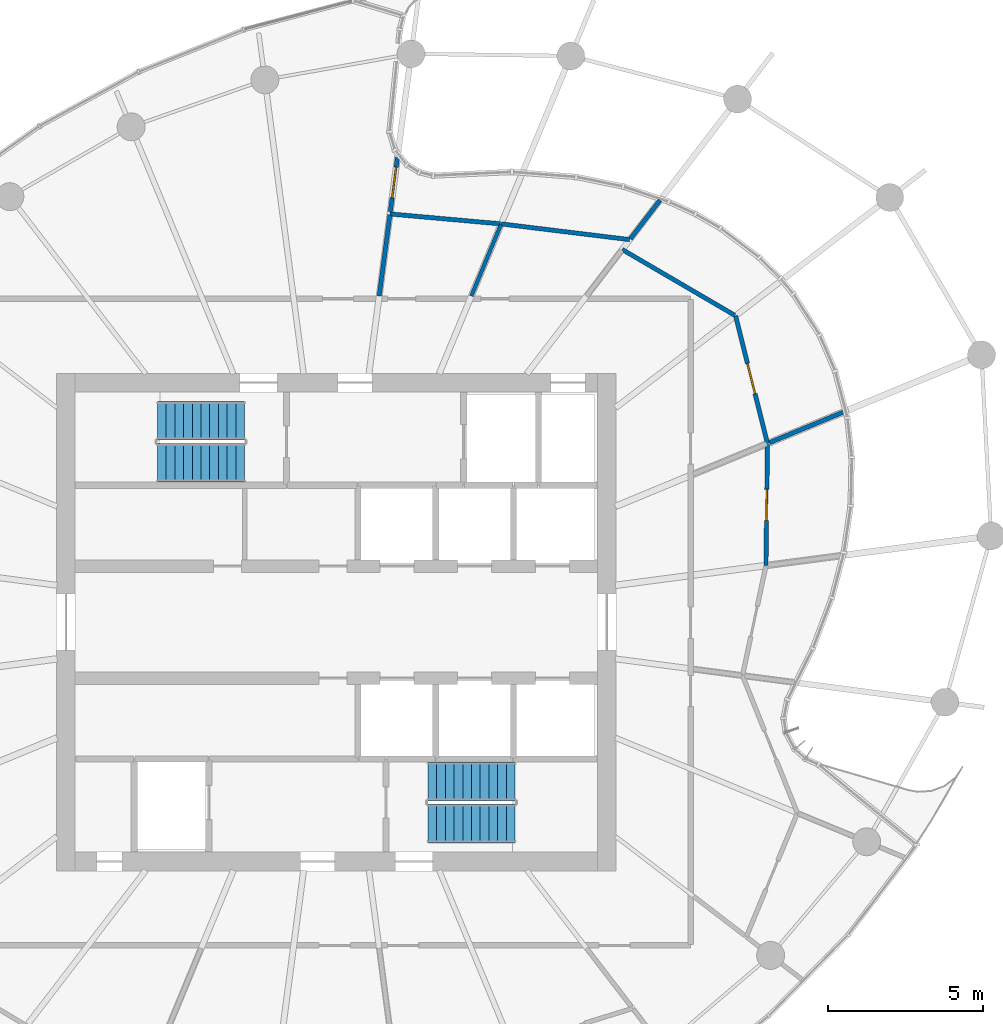
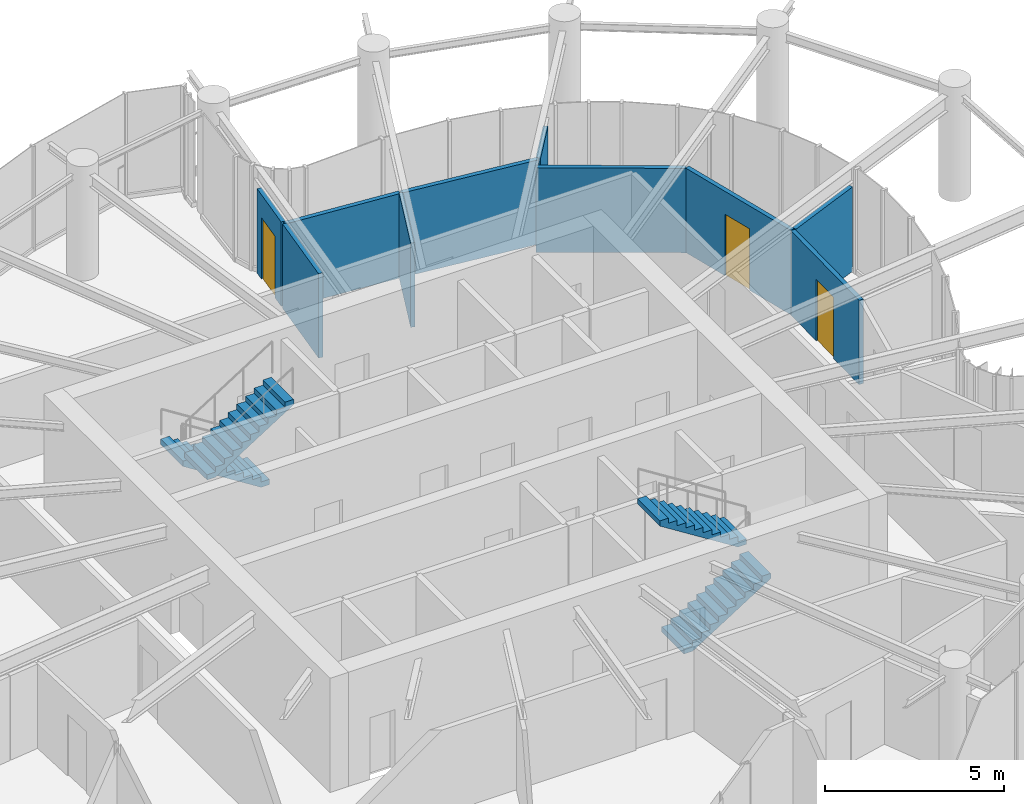
# One storey, part 15 of 17: 10 walls, 4 stair flights, 3 doors, 3 openings, 2 elements without a shape of their own.
"""IFC4 building model written with IfcOpenShell, lengths in metres."""

from ifc_helpers import new_model, si_unit, direction, frame, frame_2d, origin, place, context, subcontext, project, spatial, line, indexed_curve, rectangle, outline, extrude, source, transform, mapped, material, layer, layer_set, type_object, element, fill, aggregate, save


model = new_model("IFC4")

# Units and contexts
model_context = context("Model", 3, precision=1e-05, world=origin(), true_north=direction((0.0, 1.0)))
body_context = subcontext(model_context, "Body", "Model", "MODEL_VIEW")
ifc_project = project(units=[si_unit("LENGTHUNIT", "METRE"), si_unit("AREAUNIT", "SQUARE_METRE"), si_unit("VOLUMEUNIT", "CUBIC_METRE"), si_unit("PLANEANGLEUNIT", "RADIAN"), si_unit("MASSUNIT", "GRAM", prefix="KILO")], contexts=[model_context])

# Site, building, storey
site_placement = place(None, origin())
site = spatial("IfcSite", under=ifc_project, at=site_placement, CompositionType="ELEMENT")
building_placement = place(site_placement, origin())
building = spatial("IfcBuilding", under=site, at=building_placement, Name="Spindrift Exchange Tower", CompositionType="ELEMENT")
storey_placement = place(building_placement, frame((0.0, 0.0, 187.699951171875)))
storey = spatial("IfcBuildingStorey", under=building, at=storey_placement, Name="L45", CompositionType="ELEMENT", Elevation=187.699951171875)

# Wall, opening, door
ifc_material_1 = material(Name="Fire-rated plasterboard partition", Category="gypsum")
ifc_layer_1 = layer(ifc_material_1, 0.139892578125)
ifc_layer_set_1 = layer_set([ifc_layer_1], Name="W-PART-140")
wall_type_1 = type_object("IfcWallType", Name="W-PART-140", PredefinedType="PARTITIONING", material=ifc_layer_set_1)
wall_1_placement = place(storey_placement, frame((64.842041015625, 57.85400390625, 0.0), z_axis=(0.0, 0.0, 1.0), x_axis=(0.2424271277, -0.970169618033, 0.0)))
wall_1 = element("IfcWall", 1, at=wall_1_placement, inside=storey, type_object=wall_type_1, Name="L45 Partition wall 41", PredefinedType="PARTITIONING", context=body_context, shape_type="SweptSolid", body=[
    extrude(rectangle(XDim=4.23583984375, YDim=0.139892578125, at=frame_2d((2.117919921875, 0.0))), origin(), (0.0, 0.0, 1.0), 2.880126953125),
])
opening_1_placement = place(wall_1_placement, frame((1.585693359375, 0.0, 0.0)))
opening_1 = element("IfcOpeningElement", 2, at=opening_1_placement, cuts=wall_1, Name="Opening L45-D20", PredefinedType="OPENING", context=body_context, shape_type="SweptSolid", body=[
    extrude(rectangle(XDim=1.0, YDim=2.10009765625, at=frame_2d((0.5, 1.050048828125))), frame((0.0, 0.079833984375, 0.0), z_axis=(0.0, -1.0, 0.0), x_axis=(1.0, 0.0, 0.0)), (0.0, 0.0, 1.0), 0.159912109375),
])
ifc_material_2 = material(Name="Timber-core fire door", Category="wood")
door_type = type_object("IfcDoorType", Name="DR-ROOM-1000", OperationType="NOTDEFINED", PredefinedType="DOOR", material=ifc_material_2)
shared_shape = source(origin(), body_context, "Body", "SweptSolid", [
    extrude(rectangle(XDim=1.0, YDim=2.10009765625, at=frame_2d((0.5, 1.050048828125))), frame((0.0, 0.02490234375, 0.0), z_axis=(0.0, -1.0, 0.0), x_axis=(1.0, 0.0, 0.0)), (0.0, 0.0, 1.0), 0.050048828125),
])
door_1_placement = place(opening_1_placement, origin())
door_1 = element("IfcDoor", 3, at=door_1_placement, inside=storey, type_object=door_type, Name="L45 Door 20", OperationType="SINGLE_SWING_RIGHT", OverallHeight=2.10009765625, OverallWidth=1.0, PredefinedType="DOOR", context=body_context, shape_type="MappedRepresentation", body=[
    mapped(shared_shape, transform((0.0, 0.0, 0.0), scale=1.0)),
])
fill(opening_1, door_1)

# Walls
wall_2_placement = place(storey_placement, frame((64.816162109375, 57.869140625, 0.0), z_axis=(0.0, 0.0, 1.0), x_axis=(-0.86339006173, 0.504537016785, 0.0)))
element("IfcWall", 4, at=wall_2_placement, inside=storey, type_object=wall_type_1, Name="L45 Partition wall 42", PredefinedType="PARTITIONING", context=body_context, shape_type="SweptSolid", body=[
    extrude(rectangle(XDim=4.19287109375, YDim=0.139892578125, at=frame_2d((2.096435546875, 0.0))), origin(), (0.0, 0.0, 1.0), 2.880126953125),
])
wall_3_placement = place(storey_placement, frame((61.439208984375, 60.301513671875, 0.0), z_axis=(0.0, 0.0, 1.0), x_axis=(-0.99258234717, 0.121574191698, 0.0)))
element("IfcWall", 5, at=wall_3_placement, inside=storey, type_object=wall_type_1, Name="L45 Partition wall 45", PredefinedType="PARTITIONING", context=body_context, shape_type="SweptSolid", body=[
    extrude(rectangle(XDim=4.1650390625, YDim=0.139892578125, at=frame_2d((2.08251953125, 0.0))), origin(), (0.0, 0.0, 1.0), 2.880126953125),
])

# Wall, opening, door
wall_4_placement = place(storey_placement, frame((65.868408203125, 53.714599609375, 0.0), z_axis=(0.0, 0.0, 1.0), x_axis=(-0.01234705924, -0.999923772159, 0.0)))
wall_4 = element("IfcWall", 6, at=wall_4_placement, inside=storey, type_object=wall_type_1, Name="L45 Partition wall 51", PredefinedType="PARTITIONING", context=body_context, shape_type="SweptSolid", body=[
    extrude(rectangle(XDim=3.895263671875, YDim=0.139892578125, at=frame_2d((1.94775390625, 0.0))), origin(), (0.0, 0.0, 1.0), 2.880126953125),
])
opening_2_placement = place(wall_4_placement, frame((1.445556640625, 0.0, 0.0)))
opening_2 = element("IfcOpeningElement", 7, at=opening_2_placement, cuts=wall_4, Name="Opening L45-D46", PredefinedType="OPENING", context=body_context, shape_type="SweptSolid", body=[
    extrude(rectangle(XDim=1.0, YDim=2.10009765625, at=frame_2d((0.5, 1.050048828125))), frame((0.0, 0.079833984375, 0.0), z_axis=(0.0, -1.0, 0.0), x_axis=(1.0, 0.0, 0.0)), (0.0, 0.0, 1.0), 0.159912109375),
])
door_2_placement = place(opening_2_placement, origin())
door_2 = element("IfcDoor", 8, at=door_2_placement, inside=storey, type_object=door_type, Name="L45 Door 46", OperationType="SINGLE_SWING_RIGHT", OverallHeight=2.10009765625, OverallWidth=1.0, PredefinedType="DOOR", context=body_context, shape_type="MappedRepresentation", body=[
    mapped(shared_shape, transform((0.0, 0.0, 0.0), scale=1.0)),
])
fill(opening_2, door_2)

# Walls
wall_5_placement = place(storey_placement, frame((57.275390625, 60.810546875, 0.0), z_axis=(0.0, 0.0, 1.0), x_axis=(-0.996026962711, 0.08905217321, 0.0)))
element("IfcWall", 9, at=wall_5_placement, inside=storey, type_object=wall_type_1, Name="L45 Partition wall 55", PredefinedType="PARTITIONING", context=body_context, shape_type="SweptSolid", body=[
    extrude(rectangle(XDim=3.561279296875, YDim=0.139892578125, at=frame_2d((1.78076171875, 0.0))), origin(), (0.0, 0.0, 1.0), 2.880126953125),
])
wall_6_placement = place(storey_placement, frame((53.381103515625, 58.489990234375, 0.0), z_axis=(0.0, 0.0, 1.0), x_axis=(0.130497729181, 0.991448608188, 0.0)))
element("IfcWall", 10, at=wall_6_placement, inside=storey, type_object=wall_type_1, Name="L45 Partition wall 58", PredefinedType="PARTITIONING", context=body_context, shape_type="SweptSolid", body=[
    extrude(rectangle(XDim=2.63037109375, YDim=0.139892578125, at=frame_2d((1.315185546875, 0.0))), origin(), (0.0, 0.0, 1.0), 2.880126953125),
])
wall_7_placement = place(storey_placement, frame((65.934326171875, 53.771728515625, 0.0), z_axis=(0.0, 0.0, 1.0), x_axis=(0.923877293678, 0.382688837341, 0.0)))
element("IfcWall", 11, at=wall_7_placement, inside=storey, type_object=wall_type_1, Name="L45 Partition wall 59", PredefinedType="PARTITIONING", context=body_context, shape_type="SweptSolid", body=[
    extrude(rectangle(XDim=2.6015625, YDim=0.139892578125, at=frame_2d((1.30078125, 0.0))), origin(), (0.0, 0.0, 1.0), 2.880126953125),
])

# Wall, opening, door
wall_8_placement = place(storey_placement, frame((53.9677734375, 62.946044921875, 0.0), z_axis=(0.0, 0.0, 1.0), x_axis=(-0.130658590835, -0.991427421772, 0.0)))
wall_8 = element("IfcWall", 12, at=wall_8_placement, inside=storey, type_object=wall_type_1, Name="L45 Partition wall 74", PredefinedType="PARTITIONING", context=body_context, shape_type="SweptSolid", body=[
    extrude(rectangle(XDim=1.763916015625, YDim=0.139892578125, at=frame_2d((0.8818359375, 0.0))), origin(), (0.0, 0.0, 1.0), 2.880126953125),
])
opening_3_placement = place(wall_8_placement, frame((0.314208984375, 0.0, 0.0)))
opening_3 = element("IfcOpeningElement", 13, at=opening_3_placement, cuts=wall_8, Name="Opening L45-D24", PredefinedType="OPENING", context=body_context, shape_type="SweptSolid", body=[
    extrude(rectangle(XDim=1.0, YDim=2.10009765625, at=frame_2d((0.5, 1.050048828125))), frame((0.0, 0.079833984375, 0.0), z_axis=(0.0, -1.0, 0.0), x_axis=(1.0, 0.0, 0.0)), (0.0, 0.0, 1.0), 0.159912109375),
])
door_3_placement = place(opening_3_placement, origin())
door_3 = element("IfcDoor", 14, at=door_3_placement, inside=storey, type_object=door_type, Name="L45 Door 24", OperationType="SINGLE_SWING_RIGHT", OverallHeight=2.10009765625, OverallWidth=1.0, PredefinedType="DOOR", context=body_context, shape_type="MappedRepresentation", body=[
    mapped(shared_shape, transform((0.0, 0.0, 0.0), scale=1.0)),
])
fill(opening_3, door_3)

# Walls
wall_9_placement = place(storey_placement, frame((61.45751953125, 60.3251953125, 0.0), z_axis=(0.0, 0.0, 1.0), x_axis=(0.608709383153, 0.793393273769, 0.0)))
element("IfcWall", 15, at=wall_9_placement, inside=storey, type_object=wall_type_1, Name="L45 Partition wall 78", PredefinedType="PARTITIONING", context=body_context, shape_type="SweptSolid", body=[
    extrude(rectangle(XDim=1.56787109375, YDim=0.139892578125, at=frame_2d((0.783935546875, 0.0))), origin(), (0.0, 0.0, 1.0), 2.880126953125),
])
ifc_layer_2 = layer(ifc_material_1, 0.1201171875)
ifc_layer_set_2 = layer_set([ifc_layer_2], Name="W-WET-120")
wall_type_2 = type_object("IfcWallType", Name="W-WET-120", PredefinedType="PARTITIONING", material=ifc_layer_set_2)
wall_10_placement = place(storey_placement, frame((56.34521484375, 58.489990234375, 0.0), z_axis=(0.0, 0.0, 1.0), x_axis=(0.382656259044, 0.923890787601, 0.0)))
element("IfcWall", 16, at=wall_10_placement, inside=storey, type_object=wall_type_2, Name="L45 Partition wall 97", PredefinedType="PARTITIONING", context=body_context, shape_type="SweptSolid", body=[
    extrude(rectangle(XDim=2.478759765625, YDim=0.1201171875, at=frame_2d((1.2392578125, 0.0))), origin(), (0.0, 0.0, 1.0), 2.880126953125),
])

# Stair, stair flights
ifc_material_3 = material(Name="Concrete 50 MPa", Category="concrete")
stair_type = type_object("IfcStairType", Name="ST-1250-R177", PredefinedType="HALF_TURN_STAIR", material=ifc_material_3)
stair_1_placement = place(storey_placement, origin())
stair_1 = element("IfcStair", 17, at=stair_1_placement, inside=storey, type_object=stair_type, Name="L45 Exit stair ST1", PredefinedType="HALF_TURN_STAIR")
stair_flight_type = type_object("IfcStairFlightType", Name="STF-1250-R177", PredefinedType="STRAIGHT", material=ifc_material_3)
stair_flight_1_placement = place(storey_placement, frame((49.050048828125, 54.47509765625, 0.0), z_axis=(0.0, 0.0, 1.0), x_axis=(-1.0, 0.0, 0.0)))
stair_flight_1 = element("IfcStairFlight", 18, at=stair_flight_1_placement, type_object=stair_flight_type, Name="ST1 flight 1", NumberOfRisers=11, NumberOfTreads=10, PredefinedType="STRAIGHT", RiserHeight=0.177272727, TreadLength=0.28, context=body_context, shape_type="SweptSolid", body=[
    extrude(outline(indexed_curve([(0.0, 0.0), (0.0, 0.177734375), (0.2802734375, 0.177734375), (0.2802734375, 0.3544921875), (0.5595703125, 0.3544921875), (0.5595703125, 0.5322265625), (0.83984375, 0.5322265625), (0.83984375, 0.708984375), (1.1201171875, 0.708984375), (1.1201171875, 0.88671875), (1.400390625, 0.88671875), (1.400390625, 1.0634765625), (1.6796875, 1.0634765625), (1.6796875, 1.2412109375), (1.9599609375, 1.2412109375), (1.9599609375, 1.41796875), (2.240234375, 1.41796875), (2.240234375, 1.595703125), (2.51953125, 1.595703125), (2.51953125, 1.7724609375), (2.7998046875, 1.7724609375), (2.7998046875, 1.9501953125), (2.7998046875, 1.595703125), (0.2802734375, 0.0)], segments=[line(1, 2, 3, 4, 5, 6, 7, 8, 9, 10, 11, 12, 13, 14, 15, 16, 17, 18, 19, 20, 21, 22, 23, 24, 1)], self_intersect=False)), frame((0.0, 0.625, 0.0), z_axis=(0.0, -1.0, 0.0), x_axis=(1.0, 0.0, 0.0)), (0.0, 0.0, 1.0), 1.25),
])
stair_flight_2_placement = place(storey_placement, frame((46.25, 53.125, 1.949951171875), z_axis=(0.0, 0.0, 1.0), x_axis=(1.0, 0.0, 0.0)))
stair_flight_2 = element("IfcStairFlight", 19, at=stair_flight_2_placement, type_object=stair_flight_type, Name="ST1 flight 2", NumberOfRisers=11, NumberOfTreads=10, PredefinedType="STRAIGHT", RiserHeight=0.177272727, TreadLength=0.28, context=body_context, shape_type="SweptSolid", body=[
    extrude(outline(indexed_curve([(0.0, 0.0), (0.0, 0.177734375), (0.2802734375, 0.177734375), (0.2802734375, 0.3544921875), (0.5595703125, 0.3544921875), (0.5595703125, 0.5322265625), (0.83984375, 0.5322265625), (0.83984375, 0.708984375), (1.1201171875, 0.708984375), (1.1201171875, 0.88671875), (1.400390625, 0.88671875), (1.400390625, 1.0634765625), (1.6796875, 1.0634765625), (1.6796875, 1.2412109375), (1.9599609375, 1.2412109375), (1.9599609375, 1.41796875), (2.240234375, 1.41796875), (2.240234375, 1.595703125), (2.51953125, 1.595703125), (2.51953125, 1.7724609375), (2.7998046875, 1.7724609375), (2.7998046875, 1.9501953125), (2.7998046875, 1.595703125), (0.2802734375, 0.0)], segments=[line(1, 2, 3, 4, 5, 6, 7, 8, 9, 10, 11, 12, 13, 14, 15, 16, 17, 18, 19, 20, 21, 22, 23, 24, 1)], self_intersect=False)), frame((0.0, 0.625, 0.0), z_axis=(0.0, -1.0, 0.0), x_axis=(1.0, 0.0, 0.0)), (0.0, 0.0, 1.0), 1.25),
])
aggregate(stair_1, [stair_flight_1, stair_flight_2])

stair_2_placement = place(storey_placement, origin())
stair_2 = element("IfcStair", 20, at=stair_2_placement, inside=storey, type_object=stair_type, Name="L45 Exit stair ST2", PredefinedType="HALF_TURN_STAIR")
stair_flight_3_placement = place(storey_placement, frame((54.949951171875, 41.52490234375, 0.0), z_axis=(0.0, 0.0, 1.0), x_axis=(1.0, 0.0, 0.0)))
stair_flight_3 = element("IfcStairFlight", 21, at=stair_flight_3_placement, type_object=stair_flight_type, Name="ST2 flight 1", NumberOfRisers=11, NumberOfTreads=10, PredefinedType="STRAIGHT", RiserHeight=0.177272727, TreadLength=0.28, context=body_context, shape_type="SweptSolid", body=[
    extrude(outline(indexed_curve([(0.0, 0.0), (0.0, 0.177734375), (0.2802734375, 0.177734375), (0.2802734375, 0.3544921875), (0.5595703125, 0.3544921875), (0.5595703125, 0.5322265625), (0.83984375, 0.5322265625), (0.83984375, 0.708984375), (1.1201171875, 0.708984375), (1.1201171875, 0.88671875), (1.400390625, 0.88671875), (1.400390625, 1.0634765625), (1.6796875, 1.0634765625), (1.6796875, 1.2412109375), (1.9599609375, 1.2412109375), (1.9599609375, 1.41796875), (2.240234375, 1.41796875), (2.240234375, 1.595703125), (2.51953125, 1.595703125), (2.51953125, 1.7724609375), (2.7998046875, 1.7724609375), (2.7998046875, 1.9501953125), (2.7998046875, 1.595703125), (0.2802734375, 0.0)], segments=[line(1, 2, 3, 4, 5, 6, 7, 8, 9, 10, 11, 12, 13, 14, 15, 16, 17, 18, 19, 20, 21, 22, 23, 24, 1)], self_intersect=False)), frame((0.0, 0.625, 0.0), z_axis=(0.0, -1.0, 0.0), x_axis=(1.0, 0.0, 0.0)), (0.0, 0.0, 1.0), 1.25),
])
stair_flight_4_placement = place(storey_placement, frame((57.75, 42.875, 1.949951171875), z_axis=(0.0, 0.0, 1.0), x_axis=(-1.0, 0.0, 0.0)))
stair_flight_4 = element("IfcStairFlight", 22, at=stair_flight_4_placement, type_object=stair_flight_type, Name="ST2 flight 2", NumberOfRisers=11, NumberOfTreads=10, PredefinedType="STRAIGHT", RiserHeight=0.177272727, TreadLength=0.28, context=body_context, shape_type="SweptSolid", body=[
    extrude(outline(indexed_curve([(0.0, 0.0), (0.0, 0.177734375), (0.2802734375, 0.177734375), (0.2802734375, 0.3544921875), (0.5595703125, 0.3544921875), (0.5595703125, 0.5322265625), (0.83984375, 0.5322265625), (0.83984375, 0.708984375), (1.1201171875, 0.708984375), (1.1201171875, 0.88671875), (1.400390625, 0.88671875), (1.400390625, 1.0634765625), (1.6796875, 1.0634765625), (1.6796875, 1.2412109375), (1.9599609375, 1.2412109375), (1.9599609375, 1.41796875), (2.240234375, 1.41796875), (2.240234375, 1.595703125), (2.51953125, 1.595703125), (2.51953125, 1.7724609375), (2.7998046875, 1.7724609375), (2.7998046875, 1.9501953125), (2.7998046875, 1.595703125), (0.2802734375, 0.0)], segments=[line(1, 2, 3, 4, 5, 6, 7, 8, 9, 10, 11, 12, 13, 14, 15, 16, 17, 18, 19, 20, 21, 22, 23, 24, 1)], self_intersect=False)), frame((0.0, 0.625, 0.0), z_axis=(0.0, -1.0, 0.0), x_axis=(1.0, 0.0, 0.0)), (0.0, 0.0, 1.0), 1.25),
])
aggregate(stair_2, [stair_flight_3, stair_flight_4])

save(model, "model.ifc")
